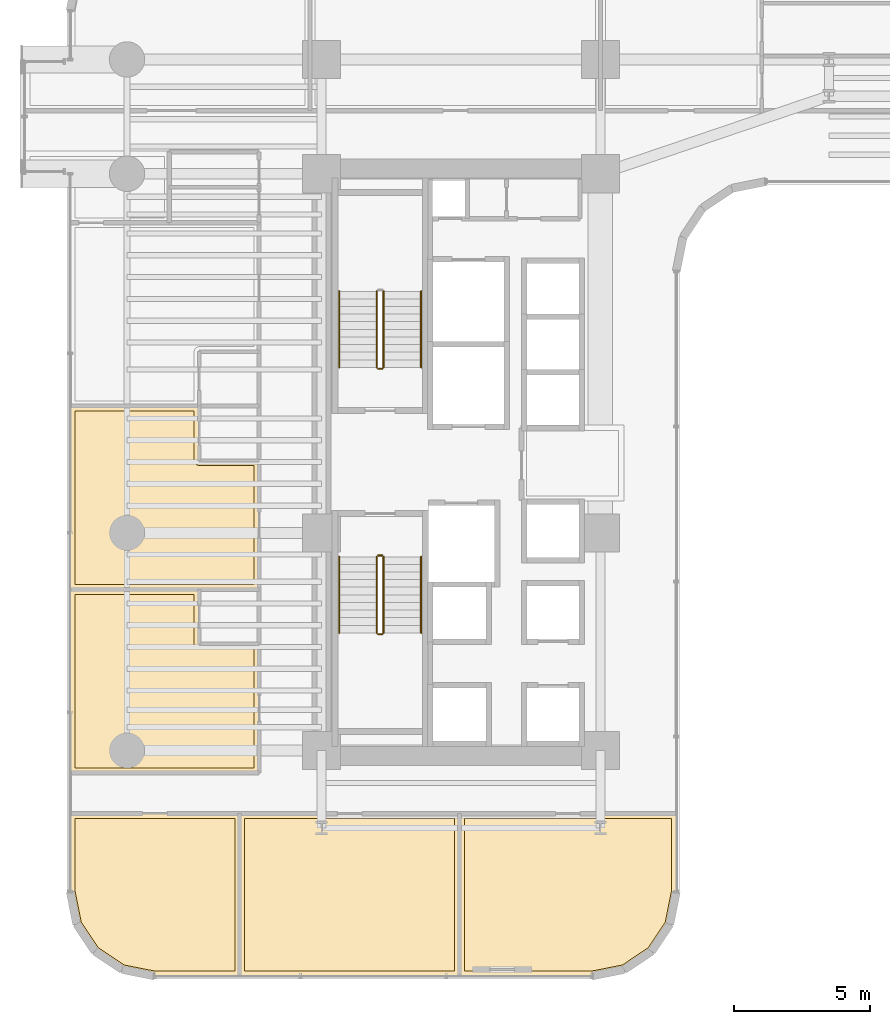
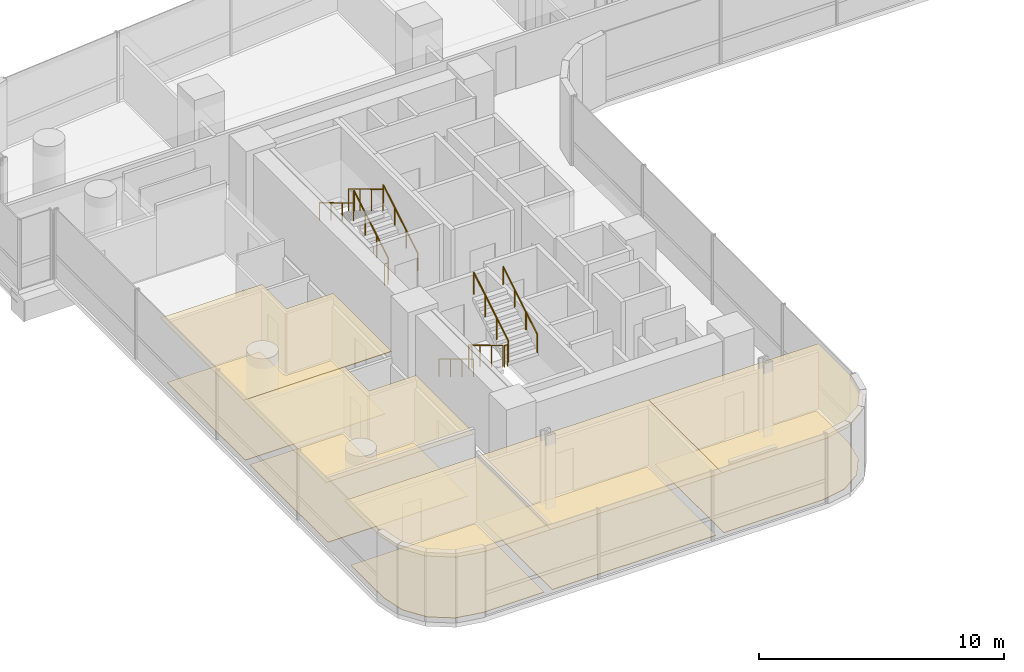
# One storey, part 37 of 41: 11 railings, 10 coverings.
"""IFC4 building model written with IfcOpenShell, lengths in metres."""

from ifc_helpers import new_model, si_unit, direction, frame, origin, origin_2d, place, context, subcontext, project, spatial, polyline, circle, outline, extrude, material, layer, layer_set, type_object, element, save


model = new_model("IFC4")

# Units and contexts
model_context = context("Model", 3, precision=1e-05, world=origin(), true_north=direction((0.0, 1.0)))
body_context = subcontext(model_context, "Body", "Model", "MODEL_VIEW")
ifc_project = project(units=[si_unit("LENGTHUNIT", "METRE"), si_unit("AREAUNIT", "SQUARE_METRE"), si_unit("VOLUMEUNIT", "CUBIC_METRE"), si_unit("PLANEANGLEUNIT", "RADIAN"), si_unit("MASSUNIT", "GRAM", prefix="KILO")], contexts=[model_context])

# Site, building, storey
site_placement = place(None, origin())
site = spatial("IfcSite", under=ifc_project, at=site_placement, CompositionType="ELEMENT")
building_placement = place(site_placement, origin())
building = spatial("IfcBuilding", under=site, at=building_placement, Name="Valdorenza Pilgrim Sanctuary Tower", CompositionType="ELEMENT")
storey_placement = place(building_placement, frame((0.0, 0.0, 88.89990234375)))
storey = spatial("IfcBuildingStorey", under=building, at=storey_placement, Name="L22", CompositionType="ELEMENT", Elevation=88.89990234375)

# Coverings
ifc_material_1 = material(Name="Micro-perforated acoustic mineral ceiling tile", Category="gypsum")
ifc_layer_1 = layer(ifc_material_1, 0.02490234375, Name="Micro-perforated acoustic mineral ceiling tile")
ifc_layer_set_1 = layer_set([ifc_layer_1], Name="Micro-perforated acoustic mineral ceiling tile")
covering_type_1 = type_object("IfcCoveringType", Name="COV-CLG-ACU", PredefinedType="CEILING", material=ifc_layer_set_1)
covering_1_placement = place(storey_placement, frame((0.0, 0.0, 3.16015625)))
element("IfcCovering", 1, at=covering_1_placement, inside=storey, type_object=covering_type_1, Name="L22 Sanctuary Guest Room L22-W1 Acoustic Ceiling", PredefinedType="CEILING", context=body_context, shape_type="SweptSolid", body=[
    extrude(outline(polyline([(-31.905029296875, -4.679931640625), (-31.90478515625, -4.678466796875), (-31.90478515625, -4.677001953125), (-31.904296875, -4.675537109375), (-31.90380859375, -4.67431640625), (-31.9033203125, -4.6728515625), (-31.902587890625, -4.671630859375), (-31.901611328125, -4.67041015625), (-31.900634765625, -4.66943359375), (-31.8994140625, -4.66845703125), (-31.898193359375, -4.66748046875), (-31.897216796875, -4.666748046875), (-31.895751953125, -4.666015625), (-31.894287109375, -4.66552734375), (-31.892822265625, -4.665283203125), (-31.8916015625, -4.6650390625), (-31.889892578125, -4.6650390625), (-27.152099609375, -4.6650390625), (-27.150390625, -4.6650390625), (-27.149169921875, -4.665283203125), (-27.147705078125, -4.66552734375), (-27.146240234375, -4.666015625), (-27.14501953125, -4.666748046875), (-27.143798828125, -4.66748046875), (-27.142578125, -4.66845703125), (-27.141357421875, -4.66943359375), (-27.140380859375, -4.67041015625), (-27.139404296875, -4.671630859375), (-27.138916015625, -4.6728515625), (-27.13818359375, -4.67431640625), (-27.1376953125, -4.675537109375), (-27.13720703125, -4.677001953125), (-27.13720703125, -4.678466796875), (-27.136962890625, -4.679931640625), (-27.136962890625, -6.6669921875), (-24.949951171875, -6.6669921875), (-24.948486328125, -6.6669921875), (-24.947021484375, -6.667236328125), (-24.945556640625, -6.66748046875), (-24.9443359375, -6.668212890625), (-24.94287109375, -6.668701171875), (-24.941650390625, -6.66943359375), (-24.9404296875, -6.67041015625), (-24.939453125, -6.67138671875), (-24.9384765625, -6.672607421875), (-24.9375, -6.673583984375), (-24.936767578125, -6.6748046875), (-24.93603515625, -6.67626953125), (-24.935546875, -6.677490234375), (-24.935302734375, -6.67919921875), (-24.93505859375, -6.680419921875), (-24.93505859375, -6.681884765625), (-24.93505859375, -11.419921875), (-24.93505859375, -11.42138671875), (-24.935302734375, -11.4228515625), (-24.935546875, -11.42431640625), (-24.93603515625, -11.42578125), (-24.936767578125, -11.427001953125), (-24.9375, -11.42822265625), (-24.9384765625, -11.429443359375), (-24.939453125, -11.4306640625), (-24.9404296875, -11.431640625), (-24.941650390625, -11.4326171875), (-24.94287109375, -11.43310546875), (-24.9443359375, -11.433837890625), (-24.945556640625, -11.434326171875), (-24.947021484375, -11.434814453125), (-24.948486328125, -11.434814453125), (-24.949951171875, -11.43505859375), (-31.889892578125, -11.43505859375), (-31.8916015625, -11.434814453125), (-31.892822265625, -11.434814453125), (-31.894287109375, -11.434326171875), (-31.895751953125, -11.433837890625), (-31.897216796875, -11.43310546875), (-31.898193359375, -11.4326171875), (-31.8994140625, -11.431640625), (-31.900634765625, -11.4306640625), (-31.901611328125, -11.429443359375), (-31.902587890625, -11.42822265625), (-31.9033203125, -11.427001953125), (-31.90380859375, -11.42578125), (-31.904296875, -11.42431640625), (-31.90478515625, -11.4228515625), (-31.90478515625, -11.42138671875), (-31.905029296875, -11.419921875), (-31.905029296875, -4.679931640625)])), origin(), (0.0, 0.0, 1.0), 0.02490234375),
])
covering_2_placement = place(storey_placement, frame((0.0, 0.0, 3.16015625)))
element("IfcCovering", 2, at=covering_2_placement, inside=storey, type_object=covering_type_1, Name="L22 Sanctuary Guest Room L22-W2 Acoustic Ceiling", PredefinedType="CEILING", context=body_context, shape_type="SweptSolid", body=[
    extrude(outline(polyline([(-31.905029296875, 2.06005859375), (-31.90478515625, 2.0615234375), (-31.90478515625, 2.06298828125), (-31.904296875, 2.064453125), (-31.90380859375, 2.065673828125), (-31.9033203125, 2.067138671875), (-31.902587890625, 2.068359375), (-31.901611328125, 2.069580078125), (-31.900634765625, 2.070556640625), (-31.8994140625, 2.071533203125), (-31.898193359375, 2.072509765625), (-31.897216796875, 2.0732421875), (-31.895751953125, 2.073974609375), (-31.894287109375, 2.074462890625), (-31.892822265625, 2.07470703125), (-31.8916015625, 2.074951171875), (-31.889892578125, 2.074951171875), (-27.152099609375, 2.074951171875), (-27.150390625, 2.074951171875), (-27.149169921875, 2.07470703125), (-27.147705078125, 2.074462890625), (-27.146240234375, 2.073974609375), (-27.14501953125, 2.0732421875), (-27.143798828125, 2.072509765625), (-27.142578125, 2.071533203125), (-27.141357421875, 2.070556640625), (-27.140380859375, 2.069580078125), (-27.139404296875, 2.068359375), (-27.138916015625, 2.067138671875), (-27.13818359375, 2.065673828125), (-27.1376953125, 2.064453125), (-27.13720703125, 2.06298828125), (-27.13720703125, 2.0615234375), (-27.136962890625, 2.06005859375), (-27.136962890625, 0.072998046875), (-24.949951171875, 0.072998046875), (-24.948486328125, 0.072998046875), (-24.947021484375, 0.07275390625), (-24.945556640625, 0.072509765625), (-24.9443359375, 0.072021484375), (-24.94287109375, 0.0712890625), (-24.941650390625, 0.070556640625), (-24.9404296875, 0.069580078125), (-24.939453125, 0.068603515625), (-24.9384765625, 0.0673828125), (-24.9375, 0.06640625), (-24.936767578125, 0.065185546875), (-24.93603515625, 0.063720703125), (-24.935546875, 0.0625), (-24.935302734375, 0.060791015625), (-24.93505859375, 0.0595703125), (-24.93505859375, 0.05810546875), (-24.93505859375, -4.677978515625), (-24.93505859375, -4.679443359375), (-24.935302734375, -4.680908203125), (-24.935546875, -4.682373046875), (-24.93603515625, -4.68359375), (-24.936767578125, -4.68505859375), (-24.9375, -4.686279296875), (-24.9384765625, -4.6875), (-24.939453125, -4.688720703125), (-24.9404296875, -4.689697265625), (-24.941650390625, -4.6904296875), (-24.94287109375, -4.691162109375), (-24.9443359375, -4.69189453125), (-24.945556640625, -4.6923828125), (-24.947021484375, -4.692626953125), (-24.948486328125, -4.69287109375), (-24.949951171875, -4.693115234375), (-27.148193359375, -4.693115234375), (-27.14892578125, -4.693115234375), (-27.150390625, -4.693359375), (-27.152099609375, -4.693115234375), (-27.153564453125, -4.693115234375), (-27.15380859375, -4.693115234375), (-31.889892578125, -4.693115234375), (-31.8916015625, -4.69287109375), (-31.892822265625, -4.692626953125), (-31.894287109375, -4.6923828125), (-31.895751953125, -4.69189453125), (-31.897216796875, -4.691162109375), (-31.898193359375, -4.6904296875), (-31.8994140625, -4.689697265625), (-31.900634765625, -4.688720703125), (-31.901611328125, -4.6875), (-31.902587890625, -4.686279296875), (-31.9033203125, -4.68505859375), (-31.90380859375, -4.68359375), (-31.904296875, -4.682373046875), (-31.90478515625, -4.680908203125), (-31.90478515625, -4.679443359375), (-31.905029296875, -4.677978515625), (-31.905029296875, 2.06005859375)])), origin(), (0.0, 0.0, 1.0), 0.02490234375),
])
covering_3_placement = place(storey_placement, frame((0.0, 0.0, 3.16015625)))
element("IfcCovering", 3, at=covering_3_placement, inside=storey, type_object=covering_type_1, Name="L22 Retreat Discussion Room L22-S1 Acoustic Ceiling", PredefinedType="CEILING", context=body_context, shape_type="SweptSolid", body=[
    extrude(outline(polyline([(-25.64501953125, -18.889892578125), (-25.64501953125, -18.8916015625), (-25.645263671875, -18.892822265625), (-25.6455078125, -18.894287109375), (-25.64599609375, -18.895751953125), (-25.646728515625, -18.897216796875), (-25.6474609375, -18.898193359375), (-25.6484375, -18.8994140625), (-25.6494140625, -18.900634765625), (-25.650390625, -18.901611328125), (-25.651611328125, -18.902587890625), (-25.65283203125, -18.9033203125), (-25.654296875, -18.90380859375), (-25.655517578125, -18.904296875), (-25.656982421875, -18.90478515625), (-25.658447265625, -18.90478515625), (-25.659912109375, -18.905029296875), (-28.789306640625, -18.905029296875), (-28.79052734375, -18.90478515625), (-28.7919921875, -18.90478515625), (-29.984619140625, -18.66748046875), (-29.986083984375, -18.6669921875), (-29.9873046875, -18.66650390625), (-29.98876953125, -18.666015625), (-29.989990234375, -18.665283203125), (-30.99169921875, -17.995849609375), (-30.992919921875, -17.9951171875), (-30.993896484375, -17.993896484375), (-30.9951171875, -17.992919921875), (-30.995849609375, -17.99169921875), (-31.665283203125, -16.989990234375), (-31.666015625, -16.98876953125), (-31.66650390625, -16.9873046875), (-31.6669921875, -16.986083984375), (-31.66748046875, -16.984619140625), (-31.90478515625, -15.7919921875), (-31.90478515625, -15.79052734375), (-31.905029296875, -15.789306640625), (-31.905029296875, -12.919921875), (-31.90478515625, -12.91845703125), (-31.90478515625, -12.9169921875), (-31.904296875, -12.91552734375), (-31.90380859375, -12.914306640625), (-31.9033203125, -12.912841796875), (-31.902587890625, -12.91162109375), (-31.901611328125, -12.910400390625), (-31.900634765625, -12.909423828125), (-31.8994140625, -12.908447265625), (-31.898193359375, -12.907470703125), (-31.897216796875, -12.90673828125), (-31.895751953125, -12.906005859375), (-31.894287109375, -12.905517578125), (-31.892822265625, -12.9052734375), (-31.8916015625, -12.905029296875), (-31.889892578125, -12.905029296875), (-25.659912109375, -12.905029296875), (-25.658447265625, -12.905029296875), (-25.656982421875, -12.9052734375), (-25.655517578125, -12.905517578125), (-25.654296875, -12.906005859375), (-25.65283203125, -12.90673828125), (-25.651611328125, -12.907470703125), (-25.650390625, -12.908447265625), (-25.6494140625, -12.909423828125), (-25.6484375, -12.910400390625), (-25.6474609375, -12.91162109375), (-25.646728515625, -12.912841796875), (-25.64599609375, -12.914306640625), (-25.6455078125, -12.91552734375), (-25.645263671875, -12.9169921875), (-25.64501953125, -12.91845703125), (-25.64501953125, -12.919921875), (-25.64501953125, -18.889892578125)])), origin(), (0.0, 0.0, 1.0), 0.02490234375),
])
covering_4_placement = place(storey_placement, frame((0.0, 0.0, 3.16015625)))
element("IfcCovering", 4, at=covering_4_placement, inside=storey, type_object=covering_type_1, Name="L22 Retreat Discussion Room L22-S2 Acoustic Ceiling", PredefinedType="CEILING", context=body_context, shape_type="SweptSolid", body=[
    extrude(outline(polyline([(-17.580078125, -12.905029296875), (-17.57861328125, -12.905029296875), (-17.5771484375, -12.9052734375), (-17.57568359375, -12.905517578125), (-17.57421875, -12.906005859375), (-17.572998046875, -12.90673828125), (-17.57177734375, -12.907470703125), (-17.570556640625, -12.908447265625), (-17.5693359375, -12.909423828125), (-17.568359375, -12.910400390625), (-17.5673828125, -12.91162109375), (-17.56689453125, -12.912841796875), (-17.566162109375, -12.914306640625), (-17.565673828125, -12.91552734375), (-17.565185546875, -12.9169921875), (-17.565185546875, -12.91845703125), (-17.56494140625, -12.919921875), (-17.56494140625, -18.889892578125), (-17.565185546875, -18.8916015625), (-17.565185546875, -18.892822265625), (-17.565673828125, -18.894287109375), (-17.566162109375, -18.895751953125), (-17.56689453125, -18.897216796875), (-17.5673828125, -18.898193359375), (-17.568359375, -18.8994140625), (-17.5693359375, -18.900634765625), (-17.570556640625, -18.901611328125), (-17.57177734375, -18.902587890625), (-17.572998046875, -18.9033203125), (-17.57421875, -18.90380859375), (-17.57568359375, -18.904296875), (-17.5771484375, -18.90478515625), (-17.57861328125, -18.90478515625), (-17.580078125, -18.905029296875), (-25.657958984375, -18.905029296875), (-25.659423828125, -18.90478515625), (-25.660888671875, -18.90478515625), (-25.662353515625, -18.904296875), (-25.663818359375, -18.90380859375), (-25.6650390625, -18.9033203125), (-25.666259765625, -18.902587890625), (-25.66748046875, -18.901611328125), (-25.668701171875, -18.900634765625), (-25.669677734375, -18.8994140625), (-25.67041015625, -18.898193359375), (-25.671142578125, -18.897216796875), (-25.671875, -18.895751953125), (-25.67236328125, -18.894287109375), (-25.672607421875, -18.892822265625), (-25.6728515625, -18.8916015625), (-25.673095703125, -18.889892578125), (-25.673095703125, -12.919921875), (-25.6728515625, -12.91845703125), (-25.672607421875, -12.9169921875), (-25.67236328125, -12.91552734375), (-25.671875, -12.914306640625), (-25.671142578125, -12.912841796875), (-25.67041015625, -12.91162109375), (-25.669677734375, -12.910400390625), (-25.668701171875, -12.909423828125), (-25.66748046875, -12.908447265625), (-25.666259765625, -12.907470703125), (-25.6650390625, -12.90673828125), (-25.663818359375, -12.906005859375), (-25.662353515625, -12.905517578125), (-25.660888671875, -12.9052734375), (-25.659423828125, -12.905029296875), (-25.657958984375, -12.905029296875), (-17.580078125, -12.905029296875)])), origin(), (0.0, 0.0, 1.0), 0.02490234375),
])
covering_5_placement = place(storey_placement, frame((0.0, 0.0, 3.16015625)))
element("IfcCovering", 5, at=covering_5_placement, inside=storey, type_object=covering_type_1, Name="L22 Retreat Discussion Room L22-S3 Acoustic Ceiling", PredefinedType="CEILING", context=body_context, shape_type="SweptSolid", body=[
    extrude(outline(polyline([(-9.610107421875, -12.905029296875), (-9.6083984375, -12.905029296875), (-9.607177734375, -12.9052734375), (-9.605712890625, -12.905517578125), (-9.604248046875, -12.906005859375), (-9.602783203125, -12.90673828125), (-9.601806640625, -12.907470703125), (-9.6005859375, -12.908447265625), (-9.599365234375, -12.909423828125), (-9.598388671875, -12.910400390625), (-9.597412109375, -12.91162109375), (-9.5966796875, -12.912841796875), (-9.59619140625, -12.914306640625), (-9.595703125, -12.91552734375), (-9.59521484375, -12.9169921875), (-9.59521484375, -12.91845703125), (-9.594970703125, -12.919921875), (-9.594970703125, -15.789306640625), (-9.59521484375, -15.79052734375), (-9.59521484375, -15.7919921875), (-9.83251953125, -16.984619140625), (-9.8330078125, -16.986083984375), (-9.83349609375, -16.9873046875), (-9.833984375, -16.98876953125), (-9.834716796875, -16.989990234375), (-10.504150390625, -17.99169921875), (-10.5048828125, -17.992919921875), (-10.506103515625, -17.993896484375), (-10.507080078125, -17.9951171875), (-10.50830078125, -17.995849609375), (-11.510009765625, -18.665283203125), (-11.51123046875, -18.666015625), (-11.5126953125, -18.66650390625), (-11.513916015625, -18.6669921875), (-11.515380859375, -18.66748046875), (-12.7080078125, -18.90478515625), (-12.70947265625, -18.90478515625), (-12.710693359375, -18.905029296875), (-17.577880859375, -18.905029296875), (-17.57958984375, -18.90478515625), (-17.580810546875, -18.90478515625), (-17.58251953125, -18.904296875), (-17.583740234375, -18.90380859375), (-17.585205078125, -18.9033203125), (-17.586181640625, -18.902587890625), (-17.58740234375, -18.901611328125), (-17.588623046875, -18.900634765625), (-17.589599609375, -18.8994140625), (-17.590576171875, -18.898193359375), (-17.59130859375, -18.897216796875), (-17.591796875, -18.895751953125), (-17.59228515625, -18.894287109375), (-17.5927734375, -18.892822265625), (-17.593017578125, -18.8916015625), (-17.593017578125, -18.889892578125), (-17.593017578125, -12.919921875), (-17.593017578125, -12.91845703125), (-17.5927734375, -12.9169921875), (-17.59228515625, -12.91552734375), (-17.591796875, -12.914306640625), (-17.59130859375, -12.912841796875), (-17.590576171875, -12.91162109375), (-17.589599609375, -12.910400390625), (-17.588623046875, -12.909423828125), (-17.58740234375, -12.908447265625), (-17.586181640625, -12.907470703125), (-17.585205078125, -12.90673828125), (-17.583740234375, -12.906005859375), (-17.58251953125, -12.905517578125), (-17.580810546875, -12.9052734375), (-17.57958984375, -12.905029296875), (-17.577880859375, -12.905029296875), (-9.610107421875, -12.905029296875)])), origin(), (0.0, 0.0, 1.0), 0.02490234375),
])
ifc_material_2 = material(Name="Engineered European oak timber flooring", Category="wood")
ifc_layer_2 = layer(ifc_material_2, 0.02197265625, Name="Engineered European oak timber flooring")
ifc_layer_set_2 = layer_set([ifc_layer_2], Name="Engineered European oak timber flooring")
covering_type_2 = type_object("IfcCoveringType", Name="COV-FLR-OAK", PredefinedType="FLOORING", material=ifc_layer_set_2)
covering_6_placement = place(storey_placement, origin())
element("IfcCovering", 6, at=covering_6_placement, inside=storey, type_object=covering_type_2, Name="L22 Sanctuary Guest Room L22-W1 Flooring", PredefinedType="FLOORING", context=body_context, shape_type="SweptSolid", body=[
    extrude(outline(polyline([(-31.7099609375, -4.860107421875), (-27.33203125, -4.860107421875), (-27.33203125, -6.679931640625), (-27.331787109375, -6.688720703125), (-27.331787109375, -6.68896484375), (-27.330078125, -6.70654296875), (-27.330078125, -6.706787109375), (-27.32666015625, -6.72412109375), (-27.326416015625, -6.724365234375), (-27.3212890625, -6.7412109375), (-27.3212890625, -6.741455078125), (-27.314697265625, -6.7578125), (-27.314453125, -6.7578125), (-27.30615234375, -6.7734375), (-27.30615234375, -6.773681640625), (-27.296142578125, -6.788330078125), (-27.296142578125, -6.78857421875), (-27.284912109375, -6.802001953125), (-27.284912109375, -6.80224609375), (-27.272216796875, -6.814697265625), (-27.272216796875, -6.81494140625), (-27.258544921875, -6.826171875), (-27.25830078125, -6.826171875), (-27.24365234375, -6.836181640625), (-27.243408203125, -6.836181640625), (-27.227783203125, -6.844482421875), (-27.227783203125, -6.844482421875), (-27.21142578125, -6.851318359375), (-27.211181640625, -6.851318359375), (-27.1943359375, -6.8564453125), (-27.194091796875, -6.856689453125), (-27.1767578125, -6.860107421875), (-27.176513671875, -6.860107421875), (-27.158935546875, -6.86181640625), (-27.15869140625, -6.86181640625), (-27.14990234375, -6.862060546875), (-25.1298828125, -6.862060546875), (-25.1298828125, -11.239990234375), (-31.7099609375, -11.239990234375), (-31.7099609375, -4.860107421875)])), origin(), (0.0, 0.0, 1.0), 0.025146484375),
])
covering_7_placement = place(storey_placement, origin())
element("IfcCovering", 7, at=covering_7_placement, inside=storey, type_object=covering_type_2, Name="L22 Sanctuary Guest Room L22-W2 Flooring", PredefinedType="FLOORING", context=body_context, shape_type="SweptSolid", body=[
    extrude(outline(polyline([(-31.7099609375, 1.8798828125), (-27.33203125, 1.8798828125), (-27.33203125, 0.06005859375), (-27.331787109375, 0.05126953125), (-27.331787109375, 0.051025390625), (-27.330078125, 0.033447265625), (-27.330078125, 0.033203125), (-27.32666015625, 0.015869140625), (-27.326416015625, 0.015625), (-27.3212890625, -0.001220703125), (-27.3212890625, -0.00146484375), (-27.314697265625, -0.017578125), (-27.314453125, -0.017822265625), (-27.30615234375, -0.033447265625), (-27.30615234375, -0.03369140625), (-27.296142578125, -0.04833984375), (-27.296142578125, -0.048583984375), (-27.284912109375, -0.06201171875), (-27.284912109375, -0.062255859375), (-27.272216796875, -0.07470703125), (-27.272216796875, -0.074951171875), (-27.258544921875, -0.086181640625), (-27.25830078125, -0.086181640625), (-27.24365234375, -0.09619140625), (-27.243408203125, -0.09619140625), (-27.227783203125, -0.1044921875), (-27.227783203125, -0.1044921875), (-27.21142578125, -0.111328125), (-27.211181640625, -0.111328125), (-27.1943359375, -0.116455078125), (-27.194091796875, -0.11669921875), (-27.1767578125, -0.1201171875), (-27.176513671875, -0.1201171875), (-27.158935546875, -0.121826171875), (-27.15869140625, -0.121826171875), (-27.14990234375, -0.1220703125), (-25.1298828125, -0.1220703125), (-25.1298828125, -4.498046875), (-27.14990234375, -4.498046875), (-27.15087890625, -4.498046875), (-27.151611328125, -4.498046875), (-27.152099609375, -4.498046875), (-31.7099609375, -4.498046875), (-31.7099609375, 1.8798828125)])), origin(), (0.0, 0.0, 1.0), 0.025146484375),
])
covering_8_placement = place(storey_placement, origin())
element("IfcCovering", 8, at=covering_8_placement, inside=storey, type_object=covering_type_2, Name="L22 Retreat Discussion Room L22-S1 Flooring", PredefinedType="FLOORING", context=body_context, shape_type="SweptSolid", body=[
    extrude(outline(polyline([(-25.840087890625, -18.7099609375), (-28.771484375, -18.7099609375), (-29.911376953125, -18.483154296875), (-30.853515625, -17.853515625), (-31.483154296875, -16.911376953125), (-31.7099609375, -15.771484375), (-31.7099609375, -13.10009765625), (-25.840087890625, -13.10009765625), (-25.840087890625, -18.7099609375)])), origin(), (0.0, 0.0, 1.0), 0.025146484375),
])
covering_9_placement = place(storey_placement, origin())
element("IfcCovering", 9, at=covering_9_placement, inside=storey, type_object=covering_type_2, Name="L22 Retreat Discussion Room L22-S2 Flooring", PredefinedType="FLOORING", context=body_context, shape_type="SweptSolid", body=[
    extrude(outline(polyline([(-17.760009765625, -13.10009765625), (-17.760009765625, -18.7099609375), (-25.47802734375, -18.7099609375), (-25.47802734375, -13.10009765625), (-17.760009765625, -13.10009765625)])), origin(), (0.0, 0.0, 1.0), 0.025146484375),
])
covering_10_placement = place(storey_placement, origin())
element("IfcCovering", 10, at=covering_10_placement, inside=storey, type_object=covering_type_2, Name="L22 Retreat Discussion Room L22-S3 Flooring", PredefinedType="FLOORING", context=body_context, shape_type="SweptSolid", body=[
    extrude(outline(polyline([(-9.7900390625, -13.10009765625), (-9.7900390625, -15.771484375), (-10.016845703125, -16.911376953125), (-10.646484375, -17.853515625), (-11.588623046875, -18.483154296875), (-12.728515625, -18.7099609375), (-17.39794921875, -18.7099609375), (-17.39794921875, -13.10009765625), (-9.7900390625, -13.10009765625)])), origin(), (0.0, 0.0, 1.0), 0.025146484375),
])

# Railings
ifc_material_3 = material(Name="Stainless steel Grade 316", Category="steel")
railing_type_1 = type_object("IfcRailingType", Name="RLG-GRD-1120", PredefinedType="GUARDRAIL", material=ifc_material_3)
railing_1_placement = place(storey_placement, frame((-20.3701171875, 3.47998046875, 0.168212890625)))
element("IfcRailing", 11, at=railing_1_placement, inside=storey, type_object=railing_type_1, Name="L22 ST-A1 stair guard 1", PredefinedType="GUARDRAIL", context=body_context, shape_type="SweptSolid", body=[
    extrude(circle(Radius=0.02392578125, at=origin_2d()), frame((0.0, 0.0, 1.076171875), z_axis=(0.0, 0.857242210791, 0.514913383045), x_axis=(-1.0, 0.0, 0.0)), (0.0, 0.0, 1.0), 3.266357421875),
    extrude(circle(Radius=0.02099609375, at=origin_2d()), origin(), (0.0, 0.0, 1.0), 1.052001953125),
    extrude(circle(Radius=0.02099609375, at=origin_2d()), frame((0.0, 0.933349609375, 0.560546875)), (0.0, 0.0, 1.0), 1.052001953125),
    extrude(circle(Radius=0.02099609375, at=origin_2d()), frame((0.0, 1.86669921875, 1.121337890625)), (0.0, 0.0, 1.0), 1.052001953125),
    extrude(circle(Radius=0.02099609375, at=origin_2d()), frame((0.0, 2.800048828125, 1.681884765625)), (0.0, 0.0, 1.0), 1.052001953125),
])
railing_2_placement = place(storey_placement, frame((-20.6201171875, 6.280029296875, 2.018310546875)))
element("IfcRailing", 12, at=railing_2_placement, inside=storey, type_object=railing_type_1, Name="L22 ST-A1 stair guard 3", PredefinedType="GUARDRAIL", context=body_context, shape_type="SweptSolid", body=[
    extrude(circle(Radius=0.02392578125, at=origin_2d()), frame((0.0, 0.0, 1.076171875), z_axis=(0.0, -0.857242210791, 0.514913383045), x_axis=(1.0, 0.0, 0.0)), (0.0, 0.0, 1.0), 3.266357421875),
    extrude(circle(Radius=0.02099609375, at=origin_2d()), origin(), (0.0, 0.0, 1.0), 1.052001953125),
    extrude(circle(Radius=0.02099609375, at=origin_2d()), frame((0.0, -0.933349609375, 0.560546875)), (0.0, 0.0, 1.0), 1.052001953125),
    extrude(circle(Radius=0.02099609375, at=origin_2d()), frame((0.0, -1.86669921875, 1.121337890625)), (0.0, 0.0, 1.0), 1.052001953125),
    extrude(circle(Radius=0.02099609375, at=origin_2d()), frame((0.0, -2.800048828125, 1.681884765625)), (0.0, 0.0, 1.0), 1.052001953125),
])
railing_3_placement = place(storey_placement, frame((-20.419921875, 3.429931640625, 0.0)))
element("IfcRailing", 13, at=railing_3_placement, inside=storey, type_object=railing_type_1, Name="L22 ST-A1 stair guard 4", PredefinedType="GUARDRAIL", context=body_context, shape_type="SweptSolid", body=[
    extrude(circle(Radius=0.02392578125, at=origin_2d()), frame((0.0, 0.0, 1.076171875), z_axis=(-1.0, 0.0, 0.0), x_axis=(0.0, -1.0, 0.0)), (0.0, 0.0, 1.0), 0.150146484375),
    extrude(circle(Radius=0.02099609375, at=origin_2d()), origin(), (0.0, 0.0, 1.0), 1.052001953125),
    extrude(circle(Radius=0.02099609375, at=origin_2d()), frame((-0.150146484375, 0.0, 0.0)), (0.0, 0.0, 1.0), 1.052001953125),
])
railing_4_placement = place(storey_placement, frame((-20.6201171875, -3.47998046875, 0.168212890625)))
element("IfcRailing", 14, at=railing_4_placement, inside=storey, type_object=railing_type_1, Name="L22 ST-A2 stair guard 1", PredefinedType="GUARDRAIL", context=body_context, shape_type="SweptSolid", body=[
    extrude(circle(Radius=0.02392578125, at=origin_2d()), frame((0.0, 0.0, 1.076171875), z_axis=(0.0, -0.857242210791, 0.514913383045), x_axis=(1.0, 0.0, 0.0)), (0.0, 0.0, 1.0), 3.266357421875),
    extrude(circle(Radius=0.02099609375, at=origin_2d()), origin(), (0.0, 0.0, 1.0), 1.052001953125),
    extrude(circle(Radius=0.02099609375, at=origin_2d()), frame((0.0, -0.933349609375, 0.560546875)), (0.0, 0.0, 1.0), 1.052001953125),
    extrude(circle(Radius=0.02099609375, at=origin_2d()), frame((0.0, -1.86669921875, 1.121337890625)), (0.0, 0.0, 1.0), 1.052001953125),
    extrude(circle(Radius=0.02099609375, at=origin_2d()), frame((0.0, -2.800048828125, 1.681884765625)), (0.0, 0.0, 1.0), 1.052001953125),
])
railing_5_placement = place(storey_placement, frame((-20.570068359375, -6.330078125, 1.85009765625)))
element("IfcRailing", 15, at=railing_5_placement, inside=storey, type_object=railing_type_1, Name="L22 ST-A2 stair guard 2", PredefinedType="GUARDRAIL", context=body_context, shape_type="SweptSolid", body=[
    extrude(circle(Radius=0.02392578125, at=origin_2d()), frame((0.0, 0.0, 1.076171875), z_axis=(1.0, 0.0, 0.0), x_axis=(0.0, 1.0, 0.0)), (0.0, 0.0, 1.0), 0.150146484375),
    extrude(circle(Radius=0.02099609375, at=origin_2d()), origin(), (0.0, 0.0, 1.0), 1.052001953125),
    extrude(circle(Radius=0.02099609375, at=origin_2d()), frame((0.150146484375, 0.0, 0.0)), (0.0, 0.0, 1.0), 1.052001953125),
])
railing_6_placement = place(storey_placement, frame((-20.3701171875, -6.280029296875, 2.018310546875)))
element("IfcRailing", 16, at=railing_6_placement, inside=storey, type_object=railing_type_1, Name="L22 ST-A2 stair guard 3", PredefinedType="GUARDRAIL", context=body_context, shape_type="SweptSolid", body=[
    extrude(circle(Radius=0.02392578125, at=origin_2d()), frame((0.0, 0.0, 1.076171875), z_axis=(0.0, 0.857242210791, 0.514913383045), x_axis=(-1.0, 0.0, 0.0)), (0.0, 0.0, 1.0), 3.266357421875),
    extrude(circle(Radius=0.02099609375, at=origin_2d()), origin(), (0.0, 0.0, 1.0), 1.052001953125),
    extrude(circle(Radius=0.02099609375, at=origin_2d()), frame((0.0, 0.933349609375, 0.560546875)), (0.0, 0.0, 1.0), 1.052001953125),
    extrude(circle(Radius=0.02099609375, at=origin_2d()), frame((0.0, 1.86669921875, 1.121337890625)), (0.0, 0.0, 1.0), 1.052001953125),
    extrude(circle(Radius=0.02099609375, at=origin_2d()), frame((0.0, 2.800048828125, 1.681884765625)), (0.0, 0.0, 1.0), 1.052001953125),
])
railing_7_placement = place(storey_placement, frame((-20.570068359375, -3.429931640625, 0.0)))
element("IfcRailing", 17, at=railing_7_placement, inside=storey, type_object=railing_type_1, Name="L22 ST-A2 stair guard 4", PredefinedType="GUARDRAIL", context=body_context, shape_type="SweptSolid", body=[
    extrude(circle(Radius=0.02392578125, at=origin_2d()), frame((0.0, 0.0, 1.076171875), z_axis=(1.0, 0.0, 0.0), x_axis=(0.0, 1.0, 0.0)), (0.0, 0.0, 1.0), 0.150146484375),
    extrude(circle(Radius=0.02099609375, at=origin_2d()), origin(), (0.0, 0.0, 1.0), 1.052001953125),
    extrude(circle(Radius=0.02099609375, at=origin_2d()), frame((0.150146484375, 0.0, 0.0)), (0.0, 0.0, 1.0), 1.052001953125),
])
ifc_material_4 = material(Name="Brushed stainless steel Grade 316", Category="steel")
railing_type_2 = type_object("IfcRailingType", Name="RLG-HND-920", PredefinedType="HANDRAIL", material=ifc_material_4)
railing_8_placement = place(storey_placement, frame((-18.989990234375, 3.47998046875, 0.168212890625)))
element("IfcRailing", 18, at=railing_8_placement, inside=storey, type_object=railing_type_2, Name="L22 ST-A1 stair handrail 1", PredefinedType="HANDRAIL", context=body_context, shape_type="SweptSolid", body=[
    extrude(circle(Radius=0.02392578125, at=origin_2d()), frame((0.0, 0.0, 0.8759765625), z_axis=(0.0, 0.857242210791, 0.514913383045), x_axis=(-1.0, 0.0, 0.0)), (0.0, 0.0, 1.0), 3.266357421875),
    extrude(circle(Radius=0.02099609375, at=origin_2d()), origin(), (0.0, 0.0, 1.0), 0.851806640625),
    extrude(circle(Radius=0.02099609375, at=origin_2d()), frame((0.0, 0.933349609375, 0.560546875)), (0.0, 0.0, 1.0), 0.851806640625),
    extrude(circle(Radius=0.02099609375, at=origin_2d()), frame((0.0, 1.86669921875, 1.121337890625)), (0.0, 0.0, 1.0), 0.851806640625),
    extrude(circle(Radius=0.02099609375, at=origin_2d()), frame((0.0, 2.800048828125, 1.681884765625)), (0.0, 0.0, 1.0), 0.851806640625),
])
for number, where, name in (
    (19, (-22.0, 6.280029296875, 2.018310546875), "L22 ST-A1 stair handrail 2"),
    (20, (-22.0, -3.47998046875, 0.168212890625), "L22 ST-A2 stair handrail 1"),
):
    element("IfcRailing", number, at=place(storey_placement, frame(where)), inside=storey, type_object=railing_type_2, Name=name, PredefinedType="HANDRAIL", context=body_context, shape_type="SweptSolid", body=[
        extrude(circle(Radius=0.02392578125, at=origin_2d()), frame((0.0, 0.0, 0.8759765625), z_axis=(0.0, -0.857242210791, 0.514913383045), x_axis=(1.0, 0.0, 0.0)), (0.0, 0.0, 1.0), 3.266357421875),
        extrude(circle(Radius=0.02099609375, at=origin_2d()), origin(), (0.0, 0.0, 1.0), 0.851806640625),
        extrude(circle(Radius=0.02099609375, at=origin_2d()), frame((0.0, -0.933349609375, 0.560546875)), (0.0, 0.0, 1.0), 0.851806640625),
        extrude(circle(Radius=0.02099609375, at=origin_2d()), frame((0.0, -1.86669921875, 1.121337890625)), (0.0, 0.0, 1.0), 0.851806640625),
        extrude(circle(Radius=0.02099609375, at=origin_2d()), frame((0.0, -2.800048828125, 1.681884765625)), (0.0, 0.0, 1.0), 0.851806640625),
    ])
railing_9_placement = place(storey_placement, frame((-18.989990234375, -6.280029296875, 2.018310546875)))
element("IfcRailing", 21, at=railing_9_placement, inside=storey, type_object=railing_type_2, Name="L22 ST-A2 stair handrail 2", PredefinedType="HANDRAIL", context=body_context, shape_type="SweptSolid", body=[
    extrude(circle(Radius=0.02392578125, at=origin_2d()), frame((0.0, 0.0, 0.8759765625), z_axis=(0.0, 0.857242210791, 0.514913383045), x_axis=(-1.0, 0.0, 0.0)), (0.0, 0.0, 1.0), 3.266357421875),
    extrude(circle(Radius=0.02099609375, at=origin_2d()), origin(), (0.0, 0.0, 1.0), 0.851806640625),
    extrude(circle(Radius=0.02099609375, at=origin_2d()), frame((0.0, 0.933349609375, 0.560546875)), (0.0, 0.0, 1.0), 0.851806640625),
    extrude(circle(Radius=0.02099609375, at=origin_2d()), frame((0.0, 1.86669921875, 1.121337890625)), (0.0, 0.0, 1.0), 0.851806640625),
    extrude(circle(Radius=0.02099609375, at=origin_2d()), frame((0.0, 2.800048828125, 1.681884765625)), (0.0, 0.0, 1.0), 0.851806640625),
])

save(model, "model.ifc")
